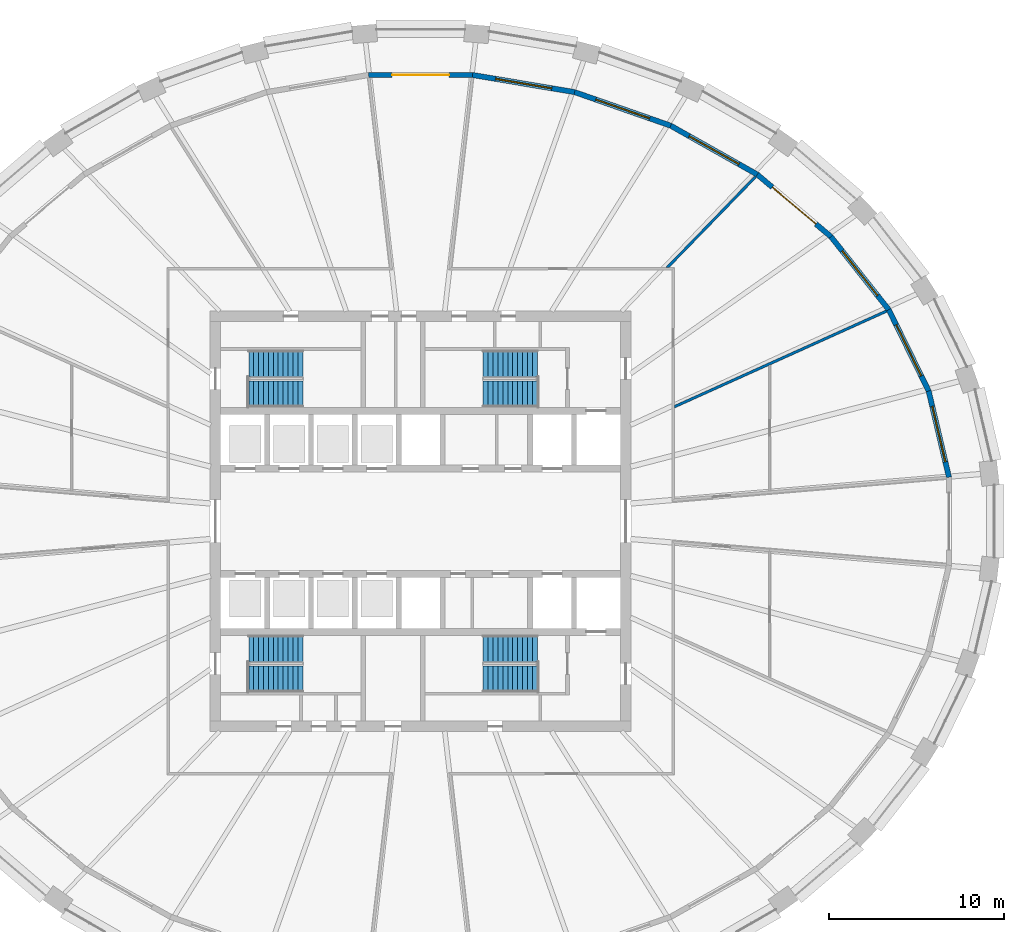
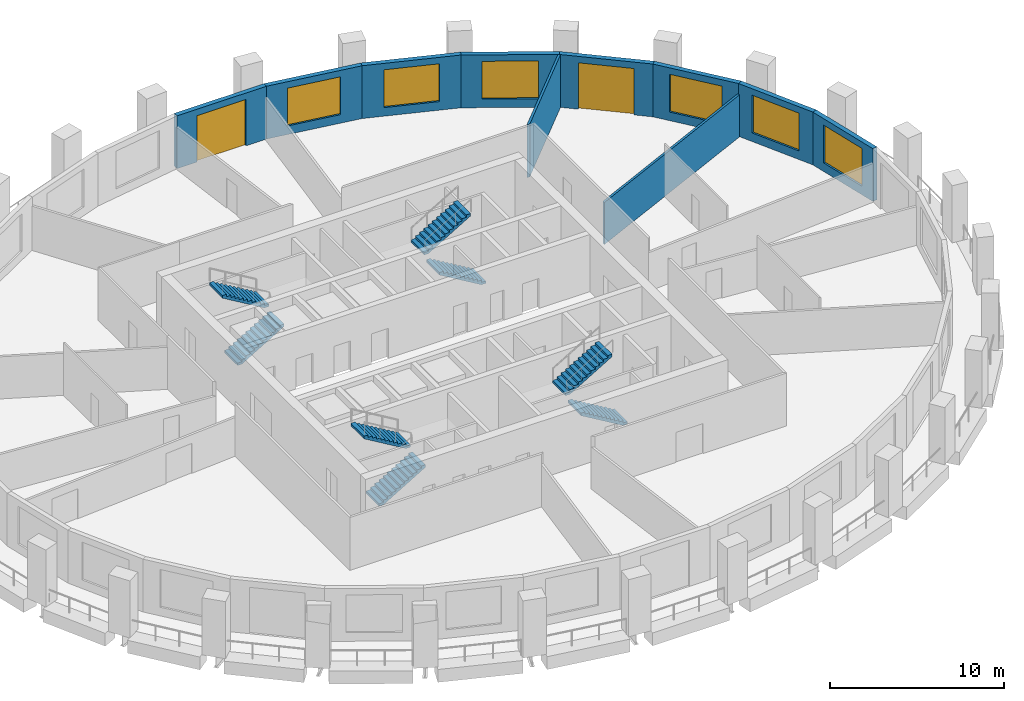
# One storey, part 7 of 10: 10 walls, 8 stair flights, 6 windows, 2 doors, 8 openings, 4 elements without a shape of their own.
"""IFC4 building model written with IfcOpenShell, lengths in metres."""

from ifc_helpers import new_model, si_unit, direction, frame, frame_2d, origin, place, context, subcontext, project, spatial, polyline, rectangle, outline, extrude, material, layer, layer_set, type_object, element, fill, aggregate, save


model = new_model("IFC4")

# Units and contexts
model_context = context("Model", 3, precision=1e-05, world=origin(), true_north=direction((0.0, 1.0)))
body_context = subcontext(model_context, "Body", "Model", "MODEL_VIEW")
ifc_project = project(units=[si_unit("LENGTHUNIT", "METRE"), si_unit("AREAUNIT", "SQUARE_METRE"), si_unit("VOLUMEUNIT", "CUBIC_METRE"), si_unit("PLANEANGLEUNIT", "RADIAN"), si_unit("MASSUNIT", "GRAM", prefix="KILO")], contexts=[model_context])

# Site, building, storey
site_placement = place(None, origin())
site = spatial("IfcSite", under=ifc_project, at=site_placement, CompositionType="ELEMENT")
building_placement = place(site_placement, origin())
building = spatial("IfcBuilding", under=site, at=building_placement, Name="Halqa Exchange Tower", CompositionType="ELEMENT")
storey_placement = place(building_placement, frame((0.0, 0.0, 186.89990234375)))
storey = spatial("IfcBuildingStorey", under=building, at=storey_placement, Name="L42", CompositionType="ELEMENT", Elevation=186.89990234375)

# Walls
ifc_material_1 = material(Name="Fire-rated gypsum board")
ifc_layer_1 = layer(ifc_material_1, 0.14990234375)
ifc_layer_set_1 = layer_set([ifc_layer_1], Name="Fire-rated gypsum board")
wall_type_1 = type_object("IfcWallType", Name="Fire partition EI 60 150", PredefinedType="PARTITIONING", material=ifc_layer_set_1)
wall_1_placement = place(storey_placement, frame((14.022216796875, 14.4228515625, 0.0), z_axis=(0.0, 0.0, 1.0), x_axis=(0.69721790069, 0.716859260216, 0.0)))
element("IfcWall", 1, at=wall_1_placement, inside=storey, type_object=wall_type_1, Name="L42-PWL-017", PredefinedType="PARTITIONING", context=body_context, shape_type="SweptSolid", body=[
    extrude(outline(polyline([(0.0, 0.074951171875), (0.0, 0.07470703125), (0.145751953125, -0.074951171875), (1.927001953125, -0.074951171875), (3.70849609375, -0.074951171875), (5.489990234375, -0.074951171875), (7.271484375, -0.074951171875), (7.271484375, 0.074951171875), (5.45361328125, 0.074951171875), (3.6357421875, 0.074951171875), (1.81787109375, 0.074951171875), (0.0, 0.074951171875)])), origin(), (0.0, 0.0, 1.0), 3.7001953125),
])
wall_2_placement = place(storey_placement, frame((14.444580078125, 6.52001953125, 0.0), z_axis=(0.0, 0.0, 1.0), x_axis=(0.911609963385, 0.411056291349, 0.0)))
element("IfcWall", 2, at=wall_2_placement, inside=storey, type_object=wall_type_1, Name="L42-PWL-024", PredefinedType="PARTITIONING", context=body_context, shape_type="SweptSolid", body=[
    extrude(outline(polyline([(0.0, -0.074951171875), (1.96533203125, -0.074951171875), (3.930419921875, -0.074951171875), (5.895751953125, -0.074951171875), (5.896728515625, -0.07275390625), (5.9013671875, -0.074951171875), (7.75, -0.074951171875), (9.5986328125, -0.074951171875), (11.447265625, -0.074951171875), (13.2958984375, -0.074951171875), (13.2958984375, -0.069091796875), (13.293701171875, -0.002685546875), (13.274169921875, 0.074951171875), (11.387451171875, 0.074951171875), (9.500732421875, 0.074951171875), (7.614013671875, 0.074951171875), (5.727294921875, 0.074951171875), (3.840576171875, 0.074951171875), (1.953857421875, 0.074951171875), (0.067138671875, 0.074951171875), (0.0, -0.073974609375), (0.0, -0.074951171875)])), origin(), (0.0, 0.0, 1.0), 2.947021484375),
])

# Wall, opening, window
ifc_material_2 = material(Name="Limestone cladding", Category="masonry")
ifc_layer_2 = layer(ifc_material_2, 0.0400390625)
ifc_material_3 = material(Name="Ventilated cavity")
ifc_layer_3 = layer(ifc_material_3, 0.030029296875, ventilated=True)
ifc_material_4 = material(Name="Mineral wool insulation")
ifc_layer_4 = layer(ifc_material_4, 0.10009765625)
ifc_material_5 = material(Name="Concrete C30/37", Category="concrete")
ifc_layer_5 = layer(ifc_material_5, 0.10009765625)
ifc_material_6 = material(Name="Internal plaster")
ifc_layer_6 = layer(ifc_material_6, 0.030029296875)
ifc_layer_set_2 = layer_set([ifc_layer_2, ifc_layer_3, ifc_layer_4, ifc_layer_5, ifc_layer_6], Name="Stone-faced insulated wall 300")
wall_type_2 = type_object("IfcWallType", Name="Stone-faced insulated wall 300", PredefinedType="STANDARD", material=ifc_layer_set_2)
wall_3_placement = place(storey_placement, frame((30.126220703125, 2.5087890625, 0.0), z_axis=(0.0, 0.0, 1.0), x_axis=(-0.229434992017, 0.973323987395, 0.0)))
wall_3 = element("IfcWall", 3, at=wall_3_placement, inside=storey, type_object=wall_type_2, Name="Glass-line wall 1", PredefinedType="STANDARD", context=body_context, shape_type="SweptSolid", body=[
    extrude(outline(polyline([(-0.017333984375, -0.14990234375), (5.072265625, -0.14990234375), (5.03857421875, 0.14990234375), (0.017333984375, 0.14990234375), (-0.017333984375, -0.14990234375)])), origin(), (0.0, 0.0, 1.0), 3.7001953125),
])
opening_1_placement = place(wall_3_placement, frame((0.902587890625, 0.0, 0.60009765625)))
opening_1 = element("IfcOpeningElement", 4, at=opening_1_placement, cuts=wall_3, Name="Opening W-F3-01", PredefinedType="OPENING", context=body_context, shape_type="SweptSolid", body=[
    extrude(rectangle(XDim=3.25, YDim=2.64990234375, at=frame_2d((1.625, 1.324951171875))), frame((0.0, 0.162109375, 0.0), z_axis=(0.0, -1.0, 0.0), x_axis=(1.0, 0.0, 0.0)), (0.0, 0.0, 1.0), 0.323974609375),
])
ifc_material_7 = material(Name="Clear low-emissivity glass in aluminium frame", Category="aluminium")
window_type = type_object("IfcWindowType", Name="Fixed clear glazed window 3250 x 2650", PartitioningType="TRIPLE_PANEL_VERTICAL", PredefinedType="WINDOW", material=ifc_material_7)
window_1_placement = place(opening_1_placement, origin())
window_1 = element("IfcWindow", 5, at=window_1_placement, inside=storey, type_object=window_type, Name="Window 3", OverallHeight=2.64990234375, OverallWidth=3.25, PartitioningType="TRIPLE_PANEL_VERTICAL", PredefinedType="WINDOW", context=body_context, shape_type="SweptSolid", body=[
    extrude(rectangle(XDim=3.25, YDim=2.64990234375, at=frame_2d((1.625, 1.324951171875))), frame((0.0, 0.030029296875, 0.0), z_axis=(0.0, -1.0, 0.0), x_axis=(1.0, 0.0, 0.0)), (0.0, 0.0, 1.0), 0.06005859375),
])
fill(opening_1, window_1)

wall_4_placement = place(storey_placement, frame((28.96630859375, 7.429443359375, 0.0), z_axis=(0.0, 0.0, 1.0), x_axis=(-0.440673883676, 0.897667270343, 0.0)))
wall_4 = element("IfcWall", 6, at=wall_4_placement, inside=storey, type_object=wall_type_2, Name="Glass-line wall 2", PredefinedType="STANDARD", context=body_context, shape_type="SweptSolid", body=[
    extrude(outline(polyline([(-0.016845703125, -0.14990234375), (5.17724609375, -0.14990234375), (5.14501953125, 0.14990234375), (0.016845703125, 0.14990234375), (-0.016845703125, -0.14990234375)])), origin(), (0.0, 0.0, 1.0), 3.7001953125),
])
opening_2_placement = place(wall_4_placement, frame((0.95556640625, 0.0, 0.60009765625)))
opening_2 = element("IfcOpeningElement", 7, at=opening_2_placement, cuts=wall_4, Name="Opening W-F3-02", PredefinedType="OPENING", context=body_context, shape_type="SweptSolid", body=[
    extrude(rectangle(XDim=3.25, YDim=2.64990234375, at=frame_2d((1.625, 1.324951171875))), frame((0.0, 0.162109375, 0.0), z_axis=(0.0, -1.0, 0.0), x_axis=(1.0, 0.0, 0.0)), (0.0, 0.0, 1.0), 0.323974609375),
])
window_2_placement = place(opening_2_placement, origin())
window_2 = element("IfcWindow", 8, at=window_2_placement, inside=storey, type_object=window_type, Name="Window 3", OverallHeight=2.64990234375, OverallWidth=3.25, PartitioningType="TRIPLE_PANEL_VERTICAL", PredefinedType="WINDOW", context=body_context, shape_type="SweptSolid", body=[
    extrude(rectangle(XDim=3.25, YDim=2.64990234375, at=frame_2d((1.625, 1.324951171875))), frame((0.0, 0.030029296875, 0.0), z_axis=(0.0, -1.0, 0.0), x_axis=(1.0, 0.0, 0.0)), (0.0, 0.0, 1.0), 0.06005859375),
])
fill(opening_2, window_2)

wall_5_placement = place(storey_placement, frame((26.69189453125, 12.0625, 0.0), z_axis=(0.0, 0.0, 1.0), x_axis=(-0.620766467446, 0.78399553117, 0.0)))
wall_5 = element("IfcWall", 9, at=wall_5_placement, inside=storey, type_object=wall_type_2, Name="Glass-line wall 3", PredefinedType="STANDARD", context=body_context, shape_type="SweptSolid", body=[
    extrude(outline(polyline([(-0.01611328125, -0.14990234375), (5.330810546875, -0.14990234375), (5.300537109375, 0.14990234375), (0.01611328125, 0.14990234375), (-0.01611328125, -0.14990234375)])), origin(), (0.0, 0.0, 1.0), 3.7001953125),
])
opening_3_placement = place(wall_5_placement, frame((1.032958984375, 0.0, 0.60009765625)))
opening_3 = element("IfcOpeningElement", 10, at=opening_3_placement, cuts=wall_5, Name="Opening W-F3-03", PredefinedType="OPENING", context=body_context, shape_type="SweptSolid", body=[
    extrude(rectangle(XDim=3.25, YDim=2.64990234375, at=frame_2d((1.625, 1.324951171875))), frame((0.0, 0.162109375, 0.0), z_axis=(0.0, -1.0, 0.0), x_axis=(1.0, 0.0, 0.0)), (0.0, 0.0, 1.0), 0.323974609375),
])
window_3_placement = place(opening_3_placement, origin())
window_3 = element("IfcWindow", 11, at=window_3_placement, inside=storey, type_object=window_type, Name="Window 3", OverallHeight=2.64990234375, OverallWidth=3.25, PartitioningType="TRIPLE_PANEL_VERTICAL", PredefinedType="WINDOW", context=body_context, shape_type="SweptSolid", body=[
    extrude(rectangle(XDim=3.25, YDim=2.64990234375, at=frame_2d((1.625, 1.324951171875))), frame((0.0, 0.030029296875, 0.0), z_axis=(0.0, -1.0, 0.0), x_axis=(1.0, 0.0, 0.0)), (0.0, 0.0, 1.0), 0.06005859375),
])
fill(opening_3, window_3)

# Wall, opening, door
wall_6_placement = place(storey_placement, frame((23.39208984375, 16.22998046875, 0.0), z_axis=(0.0, 0.0, 1.0), x_axis=(-0.764238764041, 0.64493341636, 0.0)))
wall_6 = element("IfcWall", 12, at=wall_6_placement, inside=storey, type_object=wall_type_2, Name="Glass-line wall 4", PredefinedType="STANDARD", context=body_context, shape_type="SweptSolid", body=[
    extrude(outline(polyline([(-0.01513671875, -0.14990234375), (5.506591796875, -0.14990234375), (5.478271484375, 0.14990234375), (0.01513671875, 0.14990234375), (-0.01513671875, -0.14990234375)])), origin(), (0.0, 0.0, 1.0), 3.7001953125),
])
opening_4_placement = place(wall_6_placement, frame((1.12109375, 0.0, 0.0)))
opening_4 = element("IfcOpeningElement", 13, at=opening_4_placement, cuts=wall_6, Name="Opening LG-F3-01", PredefinedType="OPENING", context=body_context, shape_type="SweptSolid", body=[
    extrude(rectangle(XDim=3.25, YDim=3.25, at=frame_2d((1.625, 1.625))), frame((0.0, 0.162109375, 0.0), z_axis=(0.0, -1.0, 0.0), x_axis=(1.0, 0.0, 0.0)), (0.0, 0.0, 1.0), 0.323974609375),
])
door_type = type_object("IfcDoorType", Name="Glazed sliding loggia door 3250 x 3250", OperationType="DOUBLE_DOOR_SLIDING", PredefinedType="DOOR", material=ifc_material_7)
door_1_placement = place(opening_4_placement, origin())
door_1 = element("IfcDoor", 14, at=door_1_placement, inside=storey, type_object=door_type, Name="Loggia door 1", OperationType="DOUBLE_DOOR_SLIDING", OverallHeight=3.25, OverallWidth=3.25, PredefinedType="DOOR", context=body_context, shape_type="SweptSolid", body=[
    extrude(rectangle(XDim=3.25, YDim=3.25, at=frame_2d((1.625, 1.625))), frame((0.0, 0.02490234375, 0.0), z_axis=(0.0, -1.0, 0.0), x_axis=(1.0, 0.0, 0.0)), (0.0, 0.0, 1.0), 0.050048828125),
])
fill(opening_4, door_1)

# Wall, opening, window
wall_7_placement = place(storey_placement, frame((19.194580078125, 19.772216796875, 0.0), z_axis=(0.0, 0.0, 1.0), x_axis=(-0.871077775545, 0.491145099691, 0.0)))
wall_7 = element("IfcWall", 15, at=wall_7_placement, inside=storey, type_object=wall_type_2, Name="Glass-line wall 5", PredefinedType="STANDARD", context=body_context, shape_type="SweptSolid", body=[
    extrude(outline(polyline([(-0.01416015625, -0.14990234375), (5.67724609375, -0.14990234375), (5.650390625, 0.14990234375), (0.01416015625, 0.14990234375), (-0.01416015625, -0.14990234375)])), origin(), (0.0, 0.0, 1.0), 3.7001953125),
])
opening_5_placement = place(wall_7_placement, frame((1.206787109375, 0.0, 0.60009765625)))
opening_5 = element("IfcOpeningElement", 16, at=opening_5_placement, cuts=wall_7, Name="Opening W-F3-05", PredefinedType="OPENING", context=body_context, shape_type="SweptSolid", body=[
    extrude(rectangle(XDim=3.25, YDim=2.64990234375, at=frame_2d((1.625, 1.324951171875))), frame((0.0, 0.162109375, 0.0), z_axis=(0.0, -1.0, 0.0), x_axis=(1.0, 0.0, 0.0)), (0.0, 0.0, 1.0), 0.323974609375),
])
window_4_placement = place(opening_5_placement, origin())
window_4 = element("IfcWindow", 17, at=window_4_placement, inside=storey, type_object=window_type, Name="Window 3", OverallHeight=2.64990234375, OverallWidth=3.25, PartitioningType="TRIPLE_PANEL_VERTICAL", PredefinedType="WINDOW", context=body_context, shape_type="SweptSolid", body=[
    extrude(rectangle(XDim=3.25, YDim=2.64990234375, at=frame_2d((1.625, 1.324951171875))), frame((0.0, 0.030029296875, 0.0), z_axis=(0.0, -1.0, 0.0), x_axis=(1.0, 0.0, 0.0)), (0.0, 0.0, 1.0), 0.06005859375),
])
fill(opening_5, window_4)

wall_8_placement = place(storey_placement, frame((14.260986328125, 22.553955078125, 0.0), z_axis=(0.0, 0.0, 1.0), x_axis=(-0.943990724372, 0.329971987144, 0.0)))
wall_8 = element("IfcWall", 18, at=wall_8_placement, inside=storey, type_object=wall_type_2, Name="Glass-line wall 6", PredefinedType="STANDARD", context=body_context, shape_type="SweptSolid", body=[
    extrude(outline(polyline([(-0.013427734375, -0.14990234375), (5.81787109375, -0.14990234375), (5.79248046875, 0.14990234375), (0.013427734375, 0.14990234375), (-0.013427734375, -0.14990234375)])), origin(), (0.0, 0.0, 1.0), 3.7001953125),
])
opening_6_placement = place(wall_8_placement, frame((1.277587890625, 0.0, 0.60009765625)))
opening_6 = element("IfcOpeningElement", 19, at=opening_6_placement, cuts=wall_8, Name="Opening W-F3-06", PredefinedType="OPENING", context=body_context, shape_type="SweptSolid", body=[
    extrude(rectangle(XDim=3.25, YDim=2.64990234375, at=frame_2d((1.625, 1.324951171875))), frame((0.0, 0.162109375, 0.0), z_axis=(0.0, -1.0, 0.0), x_axis=(1.0, 0.0, 0.0)), (0.0, 0.0, 1.0), 0.323974609375),
])
window_5_placement = place(opening_6_placement, origin())
window_5 = element("IfcWindow", 20, at=window_5_placement, inside=storey, type_object=window_type, Name="Window 3", OverallHeight=2.64990234375, OverallWidth=3.25, PartitioningType="TRIPLE_PANEL_VERTICAL", PredefinedType="WINDOW", context=body_context, shape_type="SweptSolid", body=[
    extrude(rectangle(XDim=3.25, YDim=2.64990234375, at=frame_2d((1.625, 1.324951171875))), frame((0.0, 0.030029296875, 0.0), z_axis=(0.0, -1.0, 0.0), x_axis=(1.0, 0.0, 0.0)), (0.0, 0.0, 1.0), 0.06005859375),
])
fill(opening_6, window_5)

wall_9_placement = place(storey_placement, frame((8.781005859375, 24.469482421875, 0.0), z_axis=(0.0, 0.0, 1.0), x_axis=(-0.986201934369, 0.165546805001, 0.0)))
wall_9 = element("IfcWall", 21, at=wall_9_placement, inside=storey, type_object=wall_type_2, Name="Glass-line wall 7", PredefinedType="STANDARD", context=body_context, shape_type="SweptSolid", body=[
    extrude(outline(polyline([(-0.0126953125, -0.14990234375), (5.909912109375, -0.14990234375), (5.885009765625, 0.14990234375), (0.0126953125, 0.14990234375), (-0.0126953125, -0.14990234375)])), origin(), (0.0, 0.0, 1.0), 3.7001953125),
])
opening_7_placement = place(wall_9_placement, frame((1.32373046875, 0.0, 0.60009765625)))
opening_7 = element("IfcOpeningElement", 22, at=opening_7_placement, cuts=wall_9, Name="Opening W-F3-07", PredefinedType="OPENING", context=body_context, shape_type="SweptSolid", body=[
    extrude(rectangle(XDim=3.25, YDim=2.64990234375, at=frame_2d((1.625, 1.324951171875))), frame((0.0, 0.162109375, 0.0), z_axis=(0.0, -1.0, 0.0), x_axis=(1.0, 0.0, 0.0)), (0.0, 0.0, 1.0), 0.323974609375),
])
window_6_placement = place(opening_7_placement, origin())
window_6 = element("IfcWindow", 23, at=window_6_placement, inside=storey, type_object=window_type, Name="Window 3", OverallHeight=2.64990234375, OverallWidth=3.25, PartitioningType="TRIPLE_PANEL_VERTICAL", PredefinedType="WINDOW", context=body_context, shape_type="SweptSolid", body=[
    extrude(rectangle(XDim=3.25, YDim=2.64990234375, at=frame_2d((1.625, 1.324951171875))), frame((0.0, 0.030029296875, 0.0), z_axis=(0.0, -1.0, 0.0), x_axis=(1.0, 0.0, 0.0)), (0.0, 0.0, 1.0), 0.06005859375),
])
fill(opening_7, window_6)

# Wall, opening, door
wall_10_placement = place(storey_placement, frame((2.96484375, 25.44580078125, 0.0), z_axis=(0.0, 0.0, 1.0), x_axis=(-1.0, 0.0, 0.0)))
wall_10 = element("IfcWall", 24, at=wall_10_placement, inside=storey, type_object=wall_type_2, Name="Glass-line wall 8", PredefinedType="STANDARD", context=body_context, shape_type="SweptSolid", body=[
    extrude(outline(polyline([(-0.012451171875, -0.14990234375), (5.942138671875, -0.14990234375), (5.917236328125, 0.14990234375), (0.012451171875, 0.14990234375), (-0.012451171875, -0.14990234375)])), origin(), (0.0, 0.0, 1.0), 3.7001953125),
])
opening_8_placement = place(wall_10_placement, frame((1.33984375, 0.0, 0.0)))
opening_8 = element("IfcOpeningElement", 25, at=opening_8_placement, cuts=wall_10, Name="Opening LG-F3-02", PredefinedType="OPENING", context=body_context, shape_type="SweptSolid", body=[
    extrude(rectangle(XDim=3.25, YDim=3.25, at=frame_2d((1.625, 1.625))), frame((0.0, 0.162109375, 0.0), z_axis=(0.0, -1.0, 0.0), x_axis=(1.0, 0.0, 0.0)), (0.0, 0.0, 1.0), 0.323974609375),
])
door_2_placement = place(opening_8_placement, origin())
door_2 = element("IfcDoor", 26, at=door_2_placement, inside=storey, type_object=door_type, Name="Loggia door 2", OperationType="DOUBLE_DOOR_SLIDING", OverallHeight=3.25, OverallWidth=3.25, PredefinedType="DOOR", context=body_context, shape_type="SweptSolid", body=[
    extrude(rectangle(XDim=3.25, YDim=3.25, at=frame_2d((1.625, 1.625))), frame((0.0, 0.02490234375, 0.0), z_axis=(0.0, -1.0, 0.0), x_axis=(1.0, 0.0, 0.0)), (0.0, 0.0, 1.0), 0.050048828125),
])
fill(opening_8, door_2)

# Stair, stair flights
stair_type = type_object("IfcStairType", Name="Exit stair 1500 wide", PredefinedType="HALF_TURN_STAIR", material=ifc_material_5)
stair_1_placement = place(storey_placement, origin())
stair_1 = element("IfcStair", 27, at=stair_1_placement, inside=storey, type_object=stair_type, Name="Exit stair ST1", PredefinedType="HALF_TURN_STAIR")
stair_flight_type = type_object("IfcStairFlightType", Name="Stair flight 1500 wide", PredefinedType="STRAIGHT", material=ifc_material_5)
stair_flight_1_placement = place(storey_placement, frame((-9.800048828125, 7.25, 0.0), z_axis=(0.0, 0.0, 1.0), x_axis=(1.0, 0.0, 0.0)))
stair_flight_1 = element("IfcStairFlight", 28, at=stair_flight_1_placement, type_object=stair_flight_type, Name="ST1 flight 1", NumberOfRisers=12, NumberOfTreads=11, PredefinedType="STRAIGHT", RiserHeight=0.166666667, TreadLength=0.28, context=body_context, shape_type="SweptSolid", body=[
    extrude(outline(polyline([(0.0, 0.0), (0.0, 0.166748046875), (0.280029296875, 0.166748046875), (0.280029296875, 0.333251953125), (0.56005859375, 0.333251953125), (0.56005859375, 0.5), (0.840087890625, 0.5), (0.840087890625, 0.666748046875), (1.1201171875, 0.666748046875), (1.1201171875, 0.833251953125), (1.39990234375, 0.833251953125), (1.39990234375, 1.0), (1.679931640625, 1.0), (1.679931640625, 1.166748046875), (1.9599609375, 1.166748046875), (1.9599609375, 1.333251953125), (2.239990234375, 1.333251953125), (2.239990234375, 1.5), (2.52001953125, 1.5), (2.52001953125, 1.666748046875), (2.800048828125, 1.666748046875), (2.800048828125, 1.833251953125), (3.080078125, 1.833251953125), (3.080078125, 2.0), (3.080078125, 1.658935546875), (0.29296875, 0.0), (0.0, 0.0)])), frame((0.0, 0.75, 0.0), z_axis=(0.0, -1.0, 0.0), x_axis=(1.0, 0.0, 0.0)), (0.0, 0.0, 1.0), 1.5),
])
stair_flight_2_placement = place(storey_placement, frame((-6.719970703125, 9.0, 2.0), z_axis=(0.0, 0.0, 1.0), x_axis=(-1.0, 0.0, 0.0)))
stair_flight_2 = element("IfcStairFlight", 29, at=stair_flight_2_placement, type_object=stair_flight_type, Name="ST1 flight 2", NumberOfRisers=12, NumberOfTreads=11, PredefinedType="STRAIGHT", RiserHeight=0.166666667, TreadLength=0.28, context=body_context, shape_type="SweptSolid", body=[
    extrude(outline(polyline([(0.0, 0.0), (0.0, 0.166748046875), (0.280029296875, 0.166748046875), (0.280029296875, 0.333251953125), (0.56005859375, 0.333251953125), (0.56005859375, 0.5), (0.840087890625, 0.5), (0.840087890625, 0.666748046875), (1.1201171875, 0.666748046875), (1.1201171875, 0.833251953125), (1.39990234375, 0.833251953125), (1.39990234375, 1.0), (1.679931640625, 1.0), (1.679931640625, 1.166748046875), (1.9599609375, 1.166748046875), (1.9599609375, 1.333251953125), (2.239990234375, 1.333251953125), (2.239990234375, 1.5), (2.52001953125, 1.5), (2.52001953125, 1.666748046875), (2.800048828125, 1.666748046875), (2.800048828125, 1.833251953125), (3.080078125, 1.833251953125), (3.080078125, 2.0), (3.080078125, 1.658935546875), (0.29296875, 0.0), (0.0, 0.0)])), frame((0.0, 0.75, 0.0), z_axis=(0.0, -1.0, 0.0), x_axis=(1.0, 0.0, 0.0)), (0.0, 0.0, 1.0), 1.5),
])
aggregate(stair_1, [stair_flight_1, stair_flight_2])

stair_2_placement = place(storey_placement, origin())
stair_2 = element("IfcStair", 30, at=stair_2_placement, inside=storey, type_object=stair_type, Name="Exit stair ST2", PredefinedType="HALF_TURN_STAIR")
stair_flight_3_placement = place(storey_placement, frame((6.64990234375, 7.25, 0.0), z_axis=(0.0, 0.0, 1.0), x_axis=(-1.0, 0.0, 0.0)))
stair_flight_3 = element("IfcStairFlight", 31, at=stair_flight_3_placement, type_object=stair_flight_type, Name="ST2 flight 1", NumberOfRisers=12, NumberOfTreads=11, PredefinedType="STRAIGHT", RiserHeight=0.166666667, TreadLength=0.28, context=body_context, shape_type="SweptSolid", body=[
    extrude(outline(polyline([(0.0, 0.0), (0.0, 0.166748046875), (0.280029296875, 0.166748046875), (0.280029296875, 0.333251953125), (0.56005859375, 0.333251953125), (0.56005859375, 0.5), (0.840087890625, 0.5), (0.840087890625, 0.666748046875), (1.1201171875, 0.666748046875), (1.1201171875, 0.833251953125), (1.39990234375, 0.833251953125), (1.39990234375, 1.0), (1.679931640625, 1.0), (1.679931640625, 1.166748046875), (1.9599609375, 1.166748046875), (1.9599609375, 1.333251953125), (2.239990234375, 1.333251953125), (2.239990234375, 1.5), (2.52001953125, 1.5), (2.52001953125, 1.666748046875), (2.800048828125, 1.666748046875), (2.800048828125, 1.833251953125), (3.080078125, 1.833251953125), (3.080078125, 2.0), (3.080078125, 1.658935546875), (0.29296875, 0.0), (0.0, 0.0)])), frame((0.0, 0.75, 0.0), z_axis=(0.0, -1.0, 0.0), x_axis=(1.0, 0.0, 0.0)), (0.0, 0.0, 1.0), 1.5),
])
stair_flight_4_placement = place(storey_placement, frame((3.570068359375, 9.0, 2.0), z_axis=(0.0, 0.0, 1.0), x_axis=(1.0, 0.0, 0.0)))
stair_flight_4 = element("IfcStairFlight", 32, at=stair_flight_4_placement, type_object=stair_flight_type, Name="ST2 flight 2", NumberOfRisers=12, NumberOfTreads=11, PredefinedType="STRAIGHT", RiserHeight=0.166666667, TreadLength=0.28, context=body_context, shape_type="SweptSolid", body=[
    extrude(outline(polyline([(0.0, 0.0), (0.0, 0.166748046875), (0.280029296875, 0.166748046875), (0.280029296875, 0.333251953125), (0.56005859375, 0.333251953125), (0.56005859375, 0.5), (0.840087890625, 0.5), (0.840087890625, 0.666748046875), (1.1201171875, 0.666748046875), (1.1201171875, 0.833251953125), (1.39990234375, 0.833251953125), (1.39990234375, 1.0), (1.679931640625, 1.0), (1.679931640625, 1.166748046875), (1.9599609375, 1.166748046875), (1.9599609375, 1.333251953125), (2.239990234375, 1.333251953125), (2.239990234375, 1.5), (2.52001953125, 1.5), (2.52001953125, 1.666748046875), (2.800048828125, 1.666748046875), (2.800048828125, 1.833251953125), (3.080078125, 1.833251953125), (3.080078125, 2.0), (3.080078125, 1.658935546875), (0.29296875, 0.0), (0.0, 0.0)])), frame((0.0, 0.75, 0.0), z_axis=(0.0, -1.0, 0.0), x_axis=(1.0, 0.0, 0.0)), (0.0, 0.0, 1.0), 1.5),
])
aggregate(stair_2, [stair_flight_3, stair_flight_4])

stair_3_placement = place(storey_placement, origin())
stair_3 = element("IfcStair", 33, at=stair_3_placement, inside=storey, type_object=stair_type, Name="Exit stair ST3", PredefinedType="HALF_TURN_STAIR")
stair_flight_5_placement = place(storey_placement, frame((-9.800048828125, -9.0, 0.0), z_axis=(0.0, 0.0, 1.0), x_axis=(1.0, 0.0, 0.0)))
stair_flight_5 = element("IfcStairFlight", 34, at=stair_flight_5_placement, type_object=stair_flight_type, Name="ST3 flight 1", NumberOfRisers=12, NumberOfTreads=11, PredefinedType="STRAIGHT", RiserHeight=0.166666667, TreadLength=0.28, context=body_context, shape_type="SweptSolid", body=[
    extrude(outline(polyline([(0.0, 0.0), (0.0, 0.166748046875), (0.280029296875, 0.166748046875), (0.280029296875, 0.333251953125), (0.56005859375, 0.333251953125), (0.56005859375, 0.5), (0.840087890625, 0.5), (0.840087890625, 0.666748046875), (1.1201171875, 0.666748046875), (1.1201171875, 0.833251953125), (1.39990234375, 0.833251953125), (1.39990234375, 1.0), (1.679931640625, 1.0), (1.679931640625, 1.166748046875), (1.9599609375, 1.166748046875), (1.9599609375, 1.333251953125), (2.239990234375, 1.333251953125), (2.239990234375, 1.5), (2.52001953125, 1.5), (2.52001953125, 1.666748046875), (2.800048828125, 1.666748046875), (2.800048828125, 1.833251953125), (3.080078125, 1.833251953125), (3.080078125, 2.0), (3.080078125, 1.658935546875), (0.29296875, 0.0), (0.0, 0.0)])), frame((0.0, 0.75, 0.0), z_axis=(0.0, -1.0, 0.0), x_axis=(1.0, 0.0, 0.0)), (0.0, 0.0, 1.0), 1.5),
])
stair_flight_6_placement = place(storey_placement, frame((-6.719970703125, -7.25, 2.0), z_axis=(0.0, 0.0, 1.0), x_axis=(-1.0, 0.0, 0.0)))
stair_flight_6 = element("IfcStairFlight", 35, at=stair_flight_6_placement, type_object=stair_flight_type, Name="ST3 flight 2", NumberOfRisers=12, NumberOfTreads=11, PredefinedType="STRAIGHT", RiserHeight=0.166666667, TreadLength=0.28, context=body_context, shape_type="SweptSolid", body=[
    extrude(outline(polyline([(0.0, 0.0), (0.0, 0.166748046875), (0.280029296875, 0.166748046875), (0.280029296875, 0.333251953125), (0.56005859375, 0.333251953125), (0.56005859375, 0.5), (0.840087890625, 0.5), (0.840087890625, 0.666748046875), (1.1201171875, 0.666748046875), (1.1201171875, 0.833251953125), (1.39990234375, 0.833251953125), (1.39990234375, 1.0), (1.679931640625, 1.0), (1.679931640625, 1.166748046875), (1.9599609375, 1.166748046875), (1.9599609375, 1.333251953125), (2.239990234375, 1.333251953125), (2.239990234375, 1.5), (2.52001953125, 1.5), (2.52001953125, 1.666748046875), (2.800048828125, 1.666748046875), (2.800048828125, 1.833251953125), (3.080078125, 1.833251953125), (3.080078125, 2.0), (3.080078125, 1.658935546875), (0.29296875, 0.0), (0.0, 0.0)])), frame((0.0, 0.75, 0.0), z_axis=(0.0, -1.0, 0.0), x_axis=(1.0, 0.0, 0.0)), (0.0, 0.0, 1.0), 1.5),
])
aggregate(stair_3, [stair_flight_5, stair_flight_6])

stair_4_placement = place(storey_placement, origin())
stair_4 = element("IfcStair", 36, at=stair_4_placement, inside=storey, type_object=stair_type, Name="Exit stair ST4", PredefinedType="HALF_TURN_STAIR")
stair_flight_7_placement = place(storey_placement, frame((6.64990234375, -9.0, 0.0), z_axis=(0.0, 0.0, 1.0), x_axis=(-1.0, 0.0, 0.0)))
stair_flight_7 = element("IfcStairFlight", 37, at=stair_flight_7_placement, type_object=stair_flight_type, Name="ST4 flight 1", NumberOfRisers=12, NumberOfTreads=11, PredefinedType="STRAIGHT", RiserHeight=0.166666667, TreadLength=0.28, context=body_context, shape_type="SweptSolid", body=[
    extrude(outline(polyline([(0.0, 0.0), (0.0, 0.166748046875), (0.280029296875, 0.166748046875), (0.280029296875, 0.333251953125), (0.56005859375, 0.333251953125), (0.56005859375, 0.5), (0.840087890625, 0.5), (0.840087890625, 0.666748046875), (1.1201171875, 0.666748046875), (1.1201171875, 0.833251953125), (1.39990234375, 0.833251953125), (1.39990234375, 1.0), (1.679931640625, 1.0), (1.679931640625, 1.166748046875), (1.9599609375, 1.166748046875), (1.9599609375, 1.333251953125), (2.239990234375, 1.333251953125), (2.239990234375, 1.5), (2.52001953125, 1.5), (2.52001953125, 1.666748046875), (2.800048828125, 1.666748046875), (2.800048828125, 1.833251953125), (3.080078125, 1.833251953125), (3.080078125, 2.0), (3.080078125, 1.658935546875), (0.29296875, 0.0), (0.0, 0.0)])), frame((0.0, 0.75, 0.0), z_axis=(0.0, -1.0, 0.0), x_axis=(1.0, 0.0, 0.0)), (0.0, 0.0, 1.0), 1.5),
])
stair_flight_8_placement = place(storey_placement, frame((3.570068359375, -7.25, 2.0), z_axis=(0.0, 0.0, 1.0), x_axis=(1.0, 0.0, 0.0)))
stair_flight_8 = element("IfcStairFlight", 38, at=stair_flight_8_placement, type_object=stair_flight_type, Name="ST4 flight 2", NumberOfRisers=12, NumberOfTreads=11, PredefinedType="STRAIGHT", RiserHeight=0.166666667, TreadLength=0.28, context=body_context, shape_type="SweptSolid", body=[
    extrude(outline(polyline([(0.0, 0.0), (0.0, 0.166748046875), (0.280029296875, 0.166748046875), (0.280029296875, 0.333251953125), (0.56005859375, 0.333251953125), (0.56005859375, 0.5), (0.840087890625, 0.5), (0.840087890625, 0.666748046875), (1.1201171875, 0.666748046875), (1.1201171875, 0.833251953125), (1.39990234375, 0.833251953125), (1.39990234375, 1.0), (1.679931640625, 1.0), (1.679931640625, 1.166748046875), (1.9599609375, 1.166748046875), (1.9599609375, 1.333251953125), (2.239990234375, 1.333251953125), (2.239990234375, 1.5), (2.52001953125, 1.5), (2.52001953125, 1.666748046875), (2.800048828125, 1.666748046875), (2.800048828125, 1.833251953125), (3.080078125, 1.833251953125), (3.080078125, 2.0), (3.080078125, 1.658935546875), (0.29296875, 0.0), (0.0, 0.0)])), frame((0.0, 0.75, 0.0), z_axis=(0.0, -1.0, 0.0), x_axis=(1.0, 0.0, 0.0)), (0.0, 0.0, 1.0), 1.5),
])
aggregate(stair_4, [stair_flight_7, stair_flight_8])

save(model, "model.ifc")
